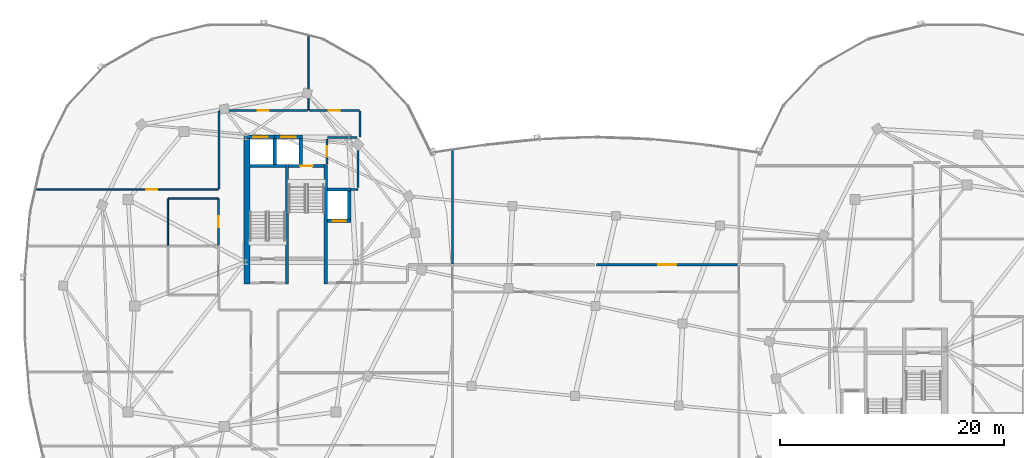
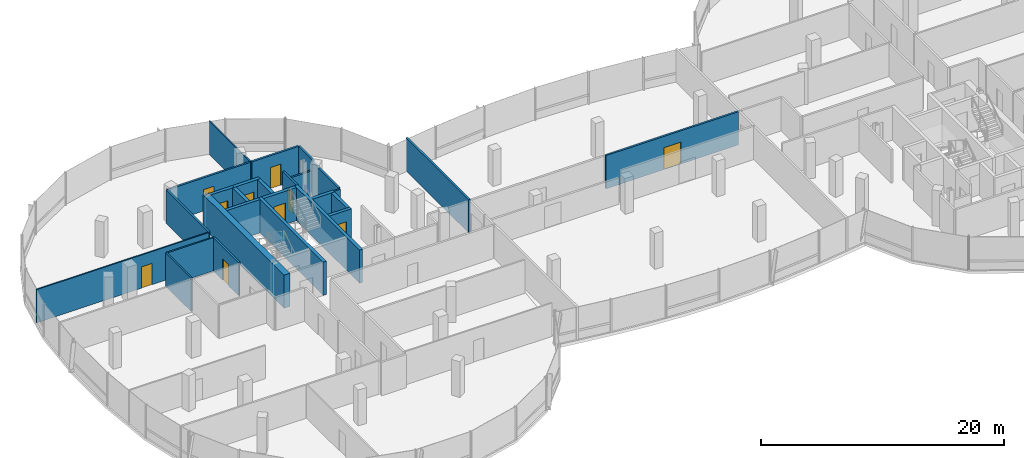
# One storey, part 15 of 25: 27 walls, 10 doors, 10 openings.
"""IFC4 building model written with IfcOpenShell, lengths in metres."""

from ifc_helpers import new_model, si_unit, direction, frame, frame_2d, origin, place, context, subcontext, project, spatial, rectangle, extrude, material, layer, layer_set, type_object, element, fill, save


model = new_model("IFC4")

# Units and contexts
model_context = context("Model", 3, precision=1e-05, world=origin(), true_north=direction((0.0, 1.0)))
body_context = subcontext(model_context, "Body", "Model", "MODEL_VIEW")
ifc_project = project(units=[si_unit("LENGTHUNIT", "METRE"), si_unit("AREAUNIT", "SQUARE_METRE"), si_unit("VOLUMEUNIT", "CUBIC_METRE"), si_unit("PLANEANGLEUNIT", "RADIAN"), si_unit("MASSUNIT", "GRAM", prefix="KILO"), si_unit("THERMODYNAMICTEMPERATUREUNIT", "KELVIN"), si_unit("POWERUNIT", "WATT")], contexts=[model_context])

# Site, building, storey
site_placement = place(None, origin())
site = spatial("IfcSite", under=ifc_project, at=site_placement, CompositionType="ELEMENT")
building_placement = place(site_placement, origin())
building = spatial("IfcBuilding", under=site, at=building_placement, Name="Cundina Bronze Exchange", CompositionType="ELEMENT")
storey_placement = place(building_placement, frame((0.0, 0.0, 246.800048828125)))
storey = spatial("IfcBuildingStorey", under=building, at=storey_placement, Name="L65", CompositionType="ELEMENT", Elevation=246.800048828125)

# Walls
ifc_material_1 = material(Name="Gypsum Fireboard Partition EI120")
ifc_layer_1 = layer(ifc_material_1, 0.179931640625, Name="Gypsum Fireboard Partition EI120")
ifc_layer_set_1 = layer_set([ifc_layer_1], Name="Gypsum Fireboard Partition EI120")
wall_type_1 = type_object("IfcWallType", Name="WL-COR-180", PredefinedType="PARTITIONING", material=ifc_layer_set_1)
wall_1_placement = place(storey_placement, frame((-21.25, 10.570068359375, 0.0), z_axis=(0.0, 0.0, 1.0), x_axis=(0.0, 1.0, 0.0)))
element("IfcWall", 1, at=wall_1_placement, inside=storey, type_object=wall_type_1, Name="L65 Interior Partition 002", PredefinedType="PARTITIONING", context=body_context, shape_type="SweptSolid", body=[
    extrude(rectangle(XDim=4.35986328125, YDim=0.179931640625, at=frame_2d((2.179931640625, 0.0))), origin(), (0.0, 0.0, 1.0), 3.33984375),
])
wall_2_placement = place(storey_placement, frame((-23.9599609375, 15.030029296875, 0.0), z_axis=(0.0, 0.0, 1.0), x_axis=(1.0, 0.0, 0.0)))
element("IfcWall", 2, at=wall_2_placement, inside=storey, type_object=wall_type_1, Name="L65 Interior Partition 003", PredefinedType="PARTITIONING", context=body_context, shape_type="SweptSolid", body=[
    extrude(rectangle(XDim=2.60986328125, YDim=0.179931640625, at=frame_2d((1.304931640625, 0.0))), origin(), (0.0, 0.0, 1.0), 2.412841796875),
])

# Wall, opening, door
wall_3_placement = place(storey_placement, frame((-24.02001953125, 12.669921875, 0.0), z_axis=(0.0, 0.0, 1.0), x_axis=(0.0, 1.0, 0.0)))
wall_3 = element("IfcWall", 3, at=wall_3_placement, inside=storey, type_object=wall_type_1, Name="L65 Interior Partition 004", PredefinedType="PARTITIONING", context=body_context, shape_type="SweptSolid", body=[
    extrude(rectangle(XDim=2.260009765625, YDim=0.179931640625, at=frame_2d((1.1298828125, 0.0))), origin(), (0.0, 0.0, 1.0), 3.33984375),
])
opening_1_placement = place(wall_3_placement, frame((0.655029296875, 0.0, 0.0)))
opening_1 = element("IfcOpeningElement", 4, at=opening_1_placement, cuts=wall_3, Name="Opening DW-01", PredefinedType="OPENING", context=body_context, shape_type="SweptSolid", body=[
    extrude(rectangle(XDim=0.949951171875, YDim=2.10009765625, at=frame_2d((0.47509765625, 1.050048828125))), frame((0.0, 0.099853515625, 0.0), z_axis=(0.0, -1.0, 0.0), x_axis=(1.0, 0.0, 0.0)), (0.0, 0.0, 1.0), 0.199951171875),
])
ifc_material_2 = material(Name="Solid Andean Oak Timber Grade A", Category="wood")
door_type_1 = type_object("IfcDoorType", Name="DR-WC-950", OperationType="NOTDEFINED", PredefinedType="DOOR", material=ifc_material_2)
door_1_placement = place(opening_1_placement, origin())
door_1 = element("IfcDoor", 5, at=door_1_placement, inside=storey, type_object=door_type_1, Name="L65 Interior Door 004", OperationType="SINGLE_SWING_RIGHT", OverallHeight=2.10009765625, OverallWidth=0.949951171875, PredefinedType="DOOR", context=body_context, shape_type="SweptSolid", body=[
    extrude(rectangle(XDim=0.949951171875, YDim=2.10009765625, at=frame_2d((0.47509765625, 1.050048828125))), frame((0.0, 0.02490234375, 0.0), z_axis=(0.0, -1.0, 0.0), x_axis=(1.0, 0.0, 0.0)), (0.0, 0.0, 1.0), 0.050048828125),
])
fill(opening_1, door_1)

wall_4_placement = place(storey_placement, frame((-33.719970703125, 5.429931640625, 0.0), z_axis=(0.0, 0.0, 1.0), x_axis=(0.0, 1.0, 0.0)))
wall_4 = element("IfcWall", 6, at=wall_4_placement, inside=storey, type_object=wall_type_1, Name="L65 Interior Partition 011", PredefinedType="PARTITIONING", context=body_context, shape_type="SweptSolid", body=[
    extrude(rectangle(XDim=4.16015625, YDim=0.179931640625, at=frame_2d((2.080078125, 0.0))), origin(), (0.0, 0.0, 1.0), 3.33984375),
])
opening_2_placement = place(wall_4_placement, frame((1.580078125, 0.0, 0.0)))
opening_2 = element("IfcOpeningElement", 7, at=opening_2_placement, cuts=wall_4, Name="Opening DO-01", PredefinedType="OPENING", context=body_context, shape_type="SweptSolid", body=[
    extrude(rectangle(XDim=1.0, YDim=2.14990234375, at=frame_2d((0.5, 1.074951171875))), frame((0.0, 0.099853515625, 0.0), z_axis=(0.0, -1.0, 0.0), x_axis=(1.0, 0.0, 0.0)), (0.0, 0.0, 1.0), 0.199951171875),
])
door_type_2 = type_object("IfcDoorType", Name="DR-OFF-1000", OperationType="NOTDEFINED", PredefinedType="DOOR", material=ifc_material_2)
door_2_placement = place(opening_2_placement, origin())
door_2 = element("IfcDoor", 8, at=door_2_placement, inside=storey, type_object=door_type_2, Name="L65 Interior Door 011", OperationType="SINGLE_SWING_RIGHT", OverallHeight=2.14990234375, OverallWidth=1.0, PredefinedType="DOOR", context=body_context, shape_type="SweptSolid", body=[
    extrude(rectangle(XDim=1.0, YDim=2.14990234375, at=frame_2d((0.5, 1.074951171875))), frame((0.0, 0.02490234375, 0.0), z_axis=(0.0, -1.0, 0.0), x_axis=(1.0, 0.0, 0.0)), (0.0, 0.0, 1.0), 0.050048828125),
])
fill(opening_2, door_2)

wall_5_placement = place(storey_placement, frame((-21.12158203125, 17.469970703125, 0.0), z_axis=(0.0, 0.0, 1.0), x_axis=(-1.0, 0.0, 0.0)))
wall_5 = element("IfcWall", 9, at=wall_5_placement, inside=storey, type_object=wall_type_1, Name="L65 Interior Partition 025", PredefinedType="PARTITIONING", context=body_context, shape_type="SweptSolid", body=[
    extrude(rectangle(XDim=4.468505859375, YDim=0.179931640625, at=frame_2d((2.234375, 0.0))), origin(), (0.0, 0.0, 1.0), 3.33984375),
])
opening_3_placement = place(wall_5_placement, frame((1.734130859375, 0.0, 0.0)))
opening_3 = element("IfcOpeningElement", 10, at=opening_3_placement, cuts=wall_5, Name="Opening DO-01", PredefinedType="OPENING", context=body_context, shape_type="SweptSolid", body=[
    extrude(rectangle(XDim=1.0, YDim=2.14990234375, at=frame_2d((0.5, 1.074951171875))), frame((0.0, 0.099853515625, 0.0), z_axis=(0.0, -1.0, 0.0), x_axis=(1.0, 0.0, 0.0)), (0.0, 0.0, 1.0), 0.199951171875),
])
door_3_placement = place(opening_3_placement, origin())
door_3 = element("IfcDoor", 11, at=door_3_placement, inside=storey, type_object=door_type_2, Name="L65 Interior Door 025", OperationType="SINGLE_SWING_LEFT", OverallHeight=2.14990234375, OverallWidth=1.0, PredefinedType="DOOR", context=body_context, shape_type="SweptSolid", body=[
    extrude(rectangle(XDim=1.0, YDim=2.14990234375, at=frame_2d((0.5, 1.074951171875))), frame((0.0, 0.02490234375, 0.0), z_axis=(0.0, -1.0, 0.0), x_axis=(1.0, 0.0, 0.0)), (0.0, 0.0, 1.0), 0.050048828125),
])
fill(opening_3, door_3)

# Wall
wall_6_placement = place(storey_placement, frame((-21.080078125, 15.071533203125, 0.0), z_axis=(0.0, 0.0, 1.0), x_axis=(0.0, 1.0, 0.0)))
element("IfcWall", 12, at=wall_6_placement, inside=storey, type_object=wall_type_1, Name="L65 Interior Partition 028", PredefinedType="PARTITIONING", context=body_context, shape_type="SweptSolid", body=[
    extrude(rectangle(XDim=2.35693359375, YDim=0.179931640625, at=frame_2d((1.178466796875, 0.0))), origin(), (0.0, 0.0, 1.0), 3.33984375),
])

# Wall, opening, door
wall_7_placement = place(storey_placement, frame((-25.77001953125, 17.469970703125, 0.0), z_axis=(0.0, 0.0, 1.0), x_axis=(-1.0, 0.0, 0.0)))
wall_7 = element("IfcWall", 13, at=wall_7_placement, inside=storey, type_object=wall_type_1, Name="L65 Interior Partition 030", PredefinedType="PARTITIONING", context=body_context, shape_type="SweptSolid", body=[
    extrude(rectangle(XDim=7.8583984375, YDim=0.179931640625, at=frame_2d((3.92919921875, 0.0))), origin(), (0.0, 0.0, 1.0), 3.33984375),
])
opening_4_placement = place(wall_7_placement, frame((3.42919921875, 0.0, 0.0)))
opening_4 = element("IfcOpeningElement", 14, at=opening_4_placement, cuts=wall_7, Name="Opening DO-01", PredefinedType="OPENING", context=body_context, shape_type="SweptSolid", body=[
    extrude(rectangle(XDim=1.0, YDim=2.14990234375, at=frame_2d((0.5, 1.074951171875))), frame((0.0, 0.099853515625, 0.0), z_axis=(0.0, -1.0, 0.0), x_axis=(1.0, 0.0, 0.0)), (0.0, 0.0, 1.0), 0.199951171875),
])
door_4_placement = place(opening_4_placement, origin())
door_4 = element("IfcDoor", 15, at=door_4_placement, inside=storey, type_object=door_type_2, Name="L65 Interior Door 030", OperationType="SINGLE_SWING_RIGHT", OverallHeight=2.14990234375, OverallWidth=1.0, PredefinedType="DOOR", context=body_context, shape_type="SweptSolid", body=[
    extrude(rectangle(XDim=1.0, YDim=2.14990234375, at=frame_2d((0.5, 1.074951171875))), frame((0.0, 0.02490234375, 0.0), z_axis=(0.0, -1.0, 0.0), x_axis=(1.0, 0.0, 0.0)), (0.0, 0.0, 1.0), 0.050048828125),
])
fill(opening_4, door_4)

# Wall
wall_8_placement = place(storey_placement, frame((-33.669921875, 17.428466796875, 0.0), z_axis=(0.0, 0.0, 1.0), x_axis=(0.0, -1.0, 0.0)))
element("IfcWall", 16, at=wall_8_placement, inside=storey, type_object=wall_type_1, Name="L65 Interior Partition 031", PredefinedType="PARTITIONING", context=body_context, shape_type="SweptSolid", body=[
    extrude(rectangle(XDim=6.978515625, YDim=0.179931640625, at=frame_2d((3.4892578125, 0.0))), origin(), (0.0, 0.0, 1.0), 3.33984375),
])

# Wall, opening, door
wall_9_placement = place(storey_placement, frame((12.6884765625, 3.669921875, 0.0), z_axis=(0.0, 0.0, 1.0), x_axis=(-1.0, 0.0, 0.0)))
wall_9 = element("IfcWall", 17, at=wall_9_placement, inside=storey, type_object=wall_type_1, Name="L65 Interior Partition 071", PredefinedType="PARTITIONING", context=body_context, shape_type="SweptSolid", body=[
    extrude(rectangle(XDim=12.593505859375, YDim=0.179931640625, at=frame_2d((6.296875, 0.0))), origin(), (0.0, 0.0, 1.0), 3.33984375),
])
opening_5_placement = place(wall_9_placement, frame((5.49658203125, 0.0, 0.0)))
opening_5 = element("IfcOpeningElement", 18, at=opening_5_placement, cuts=wall_9, Name="Opening DO-02", PredefinedType="OPENING", context=body_context, shape_type="SweptSolid", body=[
    extrude(rectangle(XDim=1.60009765625, YDim=2.199951171875, at=frame_2d((0.800048828125, 1.10009765625))), frame((0.0, 0.099853515625, 0.0), z_axis=(0.0, -1.0, 0.0), x_axis=(1.0, 0.0, 0.0)), (0.0, 0.0, 1.0), 0.199951171875),
])
door_type_3 = type_object("IfcDoorType", Name="DR-TRD-1600", OperationType="NOTDEFINED", PredefinedType="DOOR", material=ifc_material_2)
door_5_placement = place(opening_5_placement, origin())
door_5 = element("IfcDoor", 19, at=door_5_placement, inside=storey, type_object=door_type_3, Name="L65 Interior Door 071", OperationType="SINGLE_SWING_RIGHT", OverallHeight=2.199951171875, OverallWidth=1.60009765625, PredefinedType="DOOR", context=body_context, shape_type="SweptSolid", body=[
    extrude(rectangle(XDim=1.60009765625, YDim=2.199951171875, at=frame_2d((0.800048828125, 1.10009765625))), frame((0.0, 0.02490234375, 0.0), z_axis=(0.0, -1.0, 0.0), x_axis=(1.0, 0.0, 0.0)), (0.0, 0.0, 1.0), 0.050048828125),
])
fill(opening_5, door_5)

# Walls
wall_10_placement = place(storey_placement, frame((-12.800048828125, 3.739990234375, 0.0), z_axis=(0.0, 0.0, 1.0), x_axis=(0.0, 1.0, 0.0)))
element("IfcWall", 20, at=wall_10_placement, inside=storey, type_object=wall_type_1, Name="L65 Interior Partition 074", PredefinedType="PARTITIONING", context=body_context, shape_type="SweptSolid", body=[
    extrude(rectangle(XDim=10.3037109375, YDim=0.179931640625, at=frame_2d((5.15185546875, 0.0))), origin(), (0.0, 0.0, 1.0), 3.33984375),
])
ifc_material_3 = material(Name="Concrete C50/60", Category="concrete")
ifc_layer_2 = layer(ifc_material_3, 0.550048828125, Name="Concrete C50/60", Category="concrete")
ifc_layer_set_2 = layer_set([ifc_layer_2], Name="Concrete C50/60")
wall_type_2 = type_object("IfcWallType", Name="WL-CORE-550", PredefinedType="SHEAR", material=ifc_layer_set_2)
wall_11_placement = place(storey_placement, frame((-31.175048828125, 1.969970703125, 0.0), z_axis=(0.0, 0.0, 1.0), x_axis=(0.0, 1.0, 0.0)))
element("IfcWall", 21, at=wall_11_placement, inside=storey, type_object=wall_type_2, Name="L65 W Primary Core Shear Spine Wall", PredefinedType="SHEAR", context=body_context, shape_type="SweptSolid", body=[
    extrude(rectangle(XDim=13.330078125, YDim=0.550048828125, at=frame_2d((6.6650390625, 0.0))), origin(), (0.0, 0.0, 1.0), 3.33984375),
])
ifc_material_4 = material(Name="Gypsum Acoustic Partition EI60")
ifc_layer_3 = layer(ifc_material_4, 0.125, Name="Gypsum Acoustic Partition EI60")
ifc_layer_set_3 = layer_set([ifc_layer_3], Name="Gypsum Acoustic Partition EI60")
wall_type_3 = type_object("IfcWallType", Name="WL-OFF-125", PredefinedType="PARTITIONING", material=ifc_layer_set_3)
wall_12_placement = place(storey_placement, frame((-25.679931640625, 17.5, 0.0), z_axis=(0.0, 0.0, 1.0), x_axis=(0.0, 1.0, 0.0)))
element("IfcWall", 22, at=wall_12_placement, inside=storey, type_object=wall_type_3, Name="L65 Interior Partition 016", PredefinedType="PARTITIONING", context=body_context, shape_type="SweptSolid", body=[
    extrude(rectangle(XDim=6.759765625, YDim=0.125, at=frame_2d((3.3798828125, 0.0))), origin(), (0.0, 0.0, 1.0), 3.33984375),
])

# Wall, opening, door
wall_13_placement = place(storey_placement, frame((-50.1455078125, 10.409912109375, 0.0), z_axis=(0.0, 0.0, 1.0), x_axis=(1.0, 0.0, 0.0)))
wall_13 = element("IfcWall", 23, at=wall_13_placement, inside=storey, type_object=wall_type_3, Name="L65 Interior Partition 035", PredefinedType="PARTITIONING", context=body_context, shape_type="SweptSolid", body=[
    extrude(rectangle(XDim=16.3955078125, YDim=0.125, at=frame_2d((8.19775390625, 0.0))), origin(), (0.0, 0.0, 1.0), 3.33984375),
])
opening_6_placement = place(wall_13_placement, frame((9.97119140625, 0.0, 0.0)))
opening_6 = element("IfcOpeningElement", 24, at=opening_6_placement, cuts=wall_13, Name="Opening DO-01", PredefinedType="OPENING", context=body_context, shape_type="SweptSolid", body=[
    extrude(rectangle(XDim=1.0, YDim=2.14990234375, at=frame_2d((0.5, 1.074951171875))), frame((0.0, 0.072509765625, 0.0), z_axis=(0.0, -1.0, 0.0), x_axis=(1.0, 0.0, 0.0)), (0.0, 0.0, 1.0), 0.14501953125),
])
door_6_placement = place(opening_6_placement, origin())
door_6 = element("IfcDoor", 25, at=door_6_placement, inside=storey, type_object=door_type_2, Name="L65 Interior Door 035", OperationType="SINGLE_SWING_LEFT", OverallHeight=2.14990234375, OverallWidth=1.0, PredefinedType="DOOR", context=body_context, shape_type="SweptSolid", body=[
    extrude(rectangle(XDim=1.0, YDim=2.14990234375, at=frame_2d((0.5, 1.074951171875))), frame((0.0, 0.02490234375, 0.0), z_axis=(0.0, -1.0, 0.0), x_axis=(1.0, 0.0, 0.0)), (0.0, 0.0, 1.0), 0.050048828125),
])
fill(opening_6, door_6)

# Walls
ifc_layer_4 = layer(ifc_material_3, 0.300048828125, Name="Concrete C50/60", Category="concrete")
ifc_layer_set_4 = layer_set([ifc_layer_4], Name="Concrete C50/60")
wall_type_4 = type_object("IfcWallType", Name="WL-SHFT-300", PredefinedType="SHEAR", material=ifc_layer_set_4)
for number, where, z_axis, x_axis, name in (
    (26, (-27.590087890625, 1.969970703125, 0.0), (0.0, 0.0, 1.0), (0.0, 1.0, 0.0), "L65 W Stair Shaft Dividing Shear Wall"),
    (27, (-24.1298828125, 1.969970703125, 0.0), (0.0, 0.0, 1.0), (0.0, 1.0, 0.0), "L65 W Stair 2 East Shear Wall"),
):
    element("IfcWall", number, at=place(storey_placement, frame(where, z_axis=z_axis, x_axis=x_axis)), inside=storey, type_object=wall_type_4, Name=name, PredefinedType="SHEAR", context=body_context, shape_type="SweptSolid", body=[
        extrude(rectangle(XDim=10.679931640625, YDim=0.300048828125, at=frame_2d((5.33984375, 0.0))), origin(), (0.0, 0.0, 1.0), 3.33984375),
    ])
wall_14_placement = place(storey_placement, frame((-30.89990234375, 12.5, 0.0), z_axis=(0.0, 0.0, 1.0), x_axis=(1.0, 0.0, 0.0)))
element("IfcWall", 28, at=wall_14_placement, inside=storey, type_object=wall_type_4, Name="L65 Stair W1 Far Shaft Wall", PredefinedType="SHEAR", context=body_context, shape_type="SweptSolid", body=[
    extrude(rectangle(XDim=3.159912109375, YDim=0.300048828125, at=frame_2d((1.580078125, 0.0))), origin(), (0.0, 0.0, 1.0), 3.33984375),
])

# Wall, opening, door
wall_15_placement = place(storey_placement, frame((-27.43994140625, 12.5, 0.0), z_axis=(0.0, 0.0, 1.0), x_axis=(1.0, 0.0, 0.0)))
wall_15 = element("IfcWall", 29, at=wall_15_placement, inside=storey, type_object=wall_type_4, Name="L65 Stair W2 Landing Wall", PredefinedType="SHEAR", context=body_context, shape_type="SweptSolid", body=[
    extrude(rectangle(XDim=3.159912109375, YDim=0.300048828125, at=frame_2d((1.580078125, 0.0))), origin(), (0.0, 0.0, 1.0), 3.33984375),
])
opening_7_placement = place(wall_15_placement, frame((1.030029296875, 0.0, 0.0)))
opening_7 = element("IfcOpeningElement", 30, at=opening_7_placement, cuts=wall_15, Name="Opening DS-01", PredefinedType="OPENING", context=body_context, shape_type="SweptSolid", body=[
    extrude(rectangle(XDim=1.10009765625, YDim=2.14990234375, at=frame_2d((0.550048828125, 1.074951171875))), frame((0.0, 0.159912109375, 0.0), z_axis=(0.0, -1.0, 0.0), x_axis=(1.0, 0.0, 0.0)), (0.0, 0.0, 1.0), 0.320068359375),
])
ifc_material_5 = material(Name="Steel ASTM A36 Painted", Category="steel")
door_type_4 = type_object("IfcDoorType", Name="DR-STR-1100", OperationType="NOTDEFINED", PredefinedType="DOOR", material=ifc_material_5)
door_7_placement = place(opening_7_placement, origin())
door_7 = element("IfcDoor", 31, at=door_7_placement, inside=storey, type_object=door_type_4, Name="L65 Smokeproof Stair W2 Door", OperationType="SINGLE_SWING_LEFT", OverallHeight=2.14990234375, OverallWidth=1.10009765625, PredefinedType="DOOR", context=body_context, shape_type="SweptSolid", body=[
    extrude(rectangle(XDim=1.10009765625, YDim=2.14990234375, at=frame_2d((0.550048828125, 1.074951171875))), frame((0.0, 0.02490234375, 0.0), z_axis=(0.0, -1.0, 0.0), x_axis=(1.0, 0.0, 0.0)), (0.0, 0.0, 1.0), 0.050048828125),
])
fill(opening_7, door_7)

wall_16_placement = place(storey_placement, frame((-23.97998046875, 7.60009765625, 0.0), z_axis=(0.0, 0.0, 1.0), x_axis=(1.0, 0.0, 0.0)))
wall_16 = element("IfcWall", 32, at=wall_16_placement, inside=storey, type_object=wall_type_4, Name="L65 FFL-W Hoistway Front Wall", PredefinedType="SHEAR", context=body_context, shape_type="SweptSolid", body=[
    extrude(rectangle(XDim=2.10009765625, YDim=0.300048828125, at=frame_2d((1.050048828125, 0.0))), origin(), (0.0, 0.0, 1.0), 3.33984375),
])
opening_8_placement = place(wall_16_placement, frame((0.47509765625, 0.0, 0.0)))
opening_8 = element("IfcOpeningElement", 33, at=opening_8_placement, cuts=wall_16, Name="Opening LD-01", PredefinedType="OPENING", context=body_context, shape_type="SweptSolid", body=[
    extrude(rectangle(XDim=1.14990234375, YDim=2.199951171875, at=frame_2d((0.574951171875, 1.10009765625))), frame((0.0, 0.159912109375, 0.0), z_axis=(0.0, -1.0, 0.0), x_axis=(1.0, 0.0, 0.0)), (0.0, 0.0, 1.0), 0.320068359375),
])
door_type_5 = type_object("IfcDoorType", Name="DR-LND-1150", OperationType="NOTDEFINED", PredefinedType="TRAPDOOR", material=ifc_material_5)
door_8_placement = place(opening_8_placement, origin())
door_8 = element("IfcDoor", 34, at=door_8_placement, inside=storey, type_object=door_type_5, Name="L65 FFL-W Sliding Landing Door", OperationType="SLIDING_TO_LEFT", OverallHeight=2.199951171875, OverallWidth=1.14990234375, PredefinedType="TRAPDOOR", context=body_context, shape_type="SweptSolid", body=[
    extrude(rectangle(XDim=1.14990234375, YDim=2.199951171875, at=frame_2d((0.574951171875, 1.10009765625))), frame((0.0, 0.02490234375, 0.0), z_axis=(0.0, -1.0, 0.0), x_axis=(1.0, 0.0, 0.0)), (0.0, 0.0, 1.0), 0.050048828125),
])
fill(opening_8, door_8)

# Walls
wall_17_placement = place(storey_placement, frame((-23.97998046875, 10.39990234375, 0.0), z_axis=(0.0, 0.0, 1.0), x_axis=(1.0, 0.0, 0.0)))
element("IfcWall", 35, at=wall_17_placement, inside=storey, type_object=wall_type_4, Name="L65 FFL-W Hoistway Back Wall", PredefinedType="SHEAR", context=body_context, shape_type="SweptSolid", body=[
    extrude(rectangle(XDim=2.10009765625, YDim=0.300048828125, at=frame_2d((1.050048828125, 0.0))), origin(), (0.0, 0.0, 1.0), 3.33984375),
])
wall_18_placement = place(storey_placement, frame((-22.030029296875, 7.75, 0.0), z_axis=(0.0, 0.0, 1.0), x_axis=(0.0, 1.0, 0.0)))
element("IfcWall", 36, at=wall_18_placement, inside=storey, type_object=wall_type_4, Name="L65 FFL-W Hoistway Side Wall", PredefinedType="SHEAR", context=body_context, shape_type="SweptSolid", body=[
    extrude(rectangle(XDim=2.5, YDim=0.300048828125, at=frame_2d((1.25, 0.0))), origin(), (0.0, 0.0, 1.0), 3.33984375),
])

# Wall, opening, door
wall_19_placement = place(storey_placement, frame((-31.199951171875, 15.10009765625, 0.0), z_axis=(0.0, 0.0, 1.0), x_axis=(1.0, 0.0, 0.0)))
wall_19 = element("IfcWall", 37, at=wall_19_placement, inside=storey, type_object=wall_type_4, Name="L65 PH-W1 Hoistway Front Wall", PredefinedType="SHEAR", context=body_context, shape_type="SweptSolid", body=[
    extrude(rectangle(XDim=2.5, YDim=0.300048828125, at=frame_2d((1.25, 0.0))), origin(), (0.0, 0.0, 1.0), 3.33984375),
])
opening_9_placement = place(wall_19_placement, frame((0.60009765625, 0.0, 0.0)))
opening_9 = element("IfcOpeningElement", 38, at=opening_9_placement, cuts=wall_19, Name="Opening LD-02", PredefinedType="OPENING", context=body_context, shape_type="SweptSolid", body=[
    extrude(rectangle(XDim=1.300048828125, YDim=2.199951171875, at=frame_2d((0.64990234375, 1.10009765625))), frame((0.0, 0.159912109375, 0.0), z_axis=(0.0, -1.0, 0.0), x_axis=(1.0, 0.0, 0.0)), (0.0, 0.0, 1.0), 0.320068359375),
])
door_type_6 = type_object("IfcDoorType", Name="DR-LND-1300", OperationType="NOTDEFINED", PredefinedType="TRAPDOOR", material=ifc_material_5)
door_9_placement = place(opening_9_placement, origin())
door_9 = element("IfcDoor", 39, at=door_9_placement, inside=storey, type_object=door_type_6, Name="L65 PH-W1 Sliding Landing Door", OperationType="SLIDING_TO_LEFT", OverallHeight=2.199951171875, OverallWidth=1.300048828125, PredefinedType="TRAPDOOR", context=body_context, shape_type="SweptSolid", body=[
    extrude(rectangle(XDim=1.300048828125, YDim=2.199951171875, at=frame_2d((0.64990234375, 1.10009765625))), frame((0.0, 0.02490234375, 0.0), z_axis=(0.0, -1.0, 0.0), x_axis=(1.0, 0.0, 0.0)), (0.0, 0.0, 1.0), 0.050048828125),
])
fill(opening_9, door_9)

# Wall
wall_20_placement = place(storey_placement, frame((-28.699951171875, 12.64990234375, 0.0), z_axis=(0.0, 0.0, 1.0), x_axis=(0.0, 1.0, 0.0)))
element("IfcWall", 40, at=wall_20_placement, inside=storey, type_object=wall_type_4, Name="L65 PH-W1 Hoistway Divider Wall", PredefinedType="SHEAR", context=body_context, shape_type="SweptSolid", body=[
    extrude(rectangle(XDim=2.300048828125, YDim=0.300048828125, at=frame_2d((1.14990234375, 0.0))), origin(), (0.0, 0.0, 1.0), 3.33984375),
])

# Wall, opening, door
wall_21_placement = place(storey_placement, frame((-28.699951171875, 15.10009765625, 0.0), z_axis=(0.0, 0.0, 1.0), x_axis=(1.0, 0.0, 0.0)))
wall_21 = element("IfcWall", 41, at=wall_21_placement, inside=storey, type_object=wall_type_4, Name="L65 PH-W2 Hoistway Front Wall", PredefinedType="SHEAR", context=body_context, shape_type="SweptSolid", body=[
    extrude(rectangle(XDim=2.5, YDim=0.300048828125, at=frame_2d((1.25, 0.0))), origin(), (0.0, 0.0, 1.0), 3.33984375),
])
opening_10_placement = place(wall_21_placement, frame((0.60009765625, 0.0, 0.0)))
opening_10 = element("IfcOpeningElement", 42, at=opening_10_placement, cuts=wall_21, Name="Opening LD-02", PredefinedType="OPENING", context=body_context, shape_type="SweptSolid", body=[
    extrude(rectangle(XDim=1.300048828125, YDim=2.199951171875, at=frame_2d((0.64990234375, 1.10009765625))), frame((0.0, 0.159912109375, 0.0), z_axis=(0.0, -1.0, 0.0), x_axis=(1.0, 0.0, 0.0)), (0.0, 0.0, 1.0), 0.320068359375),
])
door_10_placement = place(opening_10_placement, origin())
door_10 = element("IfcDoor", 43, at=door_10_placement, inside=storey, type_object=door_type_6, Name="L65 PH-W2 Sliding Landing Door", OperationType="SLIDING_TO_LEFT", OverallHeight=2.199951171875, OverallWidth=1.300048828125, PredefinedType="TRAPDOOR", context=body_context, shape_type="SweptSolid", body=[
    extrude(rectangle(XDim=1.300048828125, YDim=2.199951171875, at=frame_2d((0.64990234375, 1.10009765625))), frame((0.0, 0.02490234375, 0.0), z_axis=(0.0, -1.0, 0.0), x_axis=(1.0, 0.0, 0.0)), (0.0, 0.0, 1.0), 0.050048828125),
])
fill(opening_10, door_10)

# Walls
wall_22_placement = place(storey_placement, frame((-26.35009765625, 12.64990234375, 0.0), z_axis=(0.0, 0.0, 1.0), x_axis=(0.0, 1.0, 0.0)))
element("IfcWall", 44, at=wall_22_placement, inside=storey, type_object=wall_type_4, Name="L65 PH-W2 Hoistway Divider Wall", PredefinedType="SHEAR", context=body_context, shape_type="SweptSolid", body=[
    extrude(rectangle(XDim=2.300048828125, YDim=0.300048828125, at=frame_2d((1.14990234375, 0.0))), origin(), (0.0, 0.0, 1.0), 3.33984375),
])
ifc_material_6 = material(Name="Moisture-Resistant Masonry Block Grade M15", Category="masonry")
ifc_layer_5 = layer(ifc_material_6, 0.139892578125, Name="Moisture-Resistant Masonry Block Grade M15", Category="masonry")
ifc_layer_set_5 = layer_set([ifc_layer_5], Name="Moisture-Resistant Masonry Block Grade M15")
wall_type_5 = type_object("IfcWallType", Name="WL-WET-140", PredefinedType="PARTITIONING", material=ifc_layer_set_5)
wall_23_placement = place(storey_placement, frame((-21.860107421875, 10.39990234375, 0.0), z_axis=(0.0, 0.0, 1.0), x_axis=(1.0, 0.0, 0.0)))
element("IfcWall", 45, at=wall_23_placement, inside=storey, type_object=wall_type_5, Name="L65 Interior Partition 001", PredefinedType="PARTITIONING", context=body_context, shape_type="SweptSolid", body=[
    extrude(rectangle(XDim=0.590087890625, YDim=0.139892578125, at=frame_2d((0.294921875, 0.0))), origin(), (0.0, 0.0, 1.0), 3.33984375),
])
wall_24_placement = place(storey_placement, frame((-38.239990234375, 5.4150390625, 0.0), z_axis=(0.0, 0.0, 1.0), x_axis=(0.0, 1.0, 0.0)))
element("IfcWall", 46, at=wall_24_placement, inside=storey, type_object=wall_type_5, Name="L65 Interior Partition 006", PredefinedType="PARTITIONING", context=body_context, shape_type="SweptSolid", body=[
    extrude(rectangle(XDim=4.175048828125, YDim=0.139892578125, at=frame_2d((2.08740234375, 0.0))), origin(), (0.0, 0.0, 1.0), 3.33984375),
])
wall_25_placement = place(storey_placement, frame((-38.219970703125, 9.610107421875, 0.0), z_axis=(0.0, 0.0, 1.0), x_axis=(1.0, 0.0, 0.0)))
element("IfcWall", 47, at=wall_25_placement, inside=storey, type_object=wall_type_5, Name="L65 Interior Partition 009", PredefinedType="PARTITIONING", context=body_context, shape_type="SweptSolid", body=[
    extrude(rectangle(XDim=4.47998046875, YDim=0.139892578125, at=frame_2d((2.239990234375, 0.0))), origin(), (0.0, 0.0, 1.0), 3.33984375),
])

save(model, "model.ifc")
